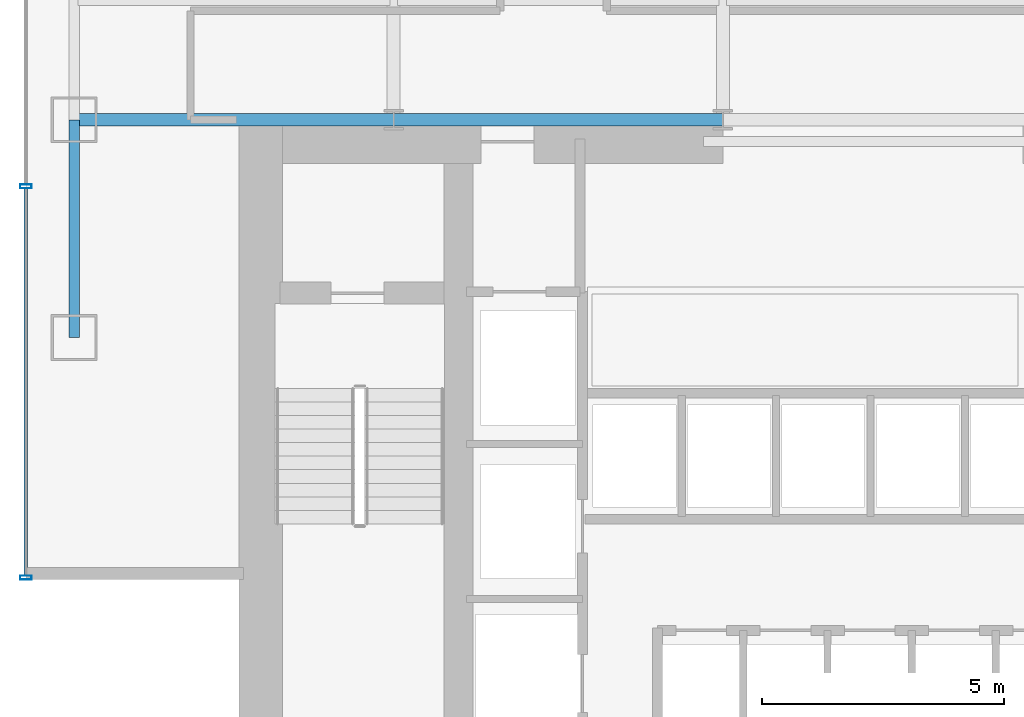
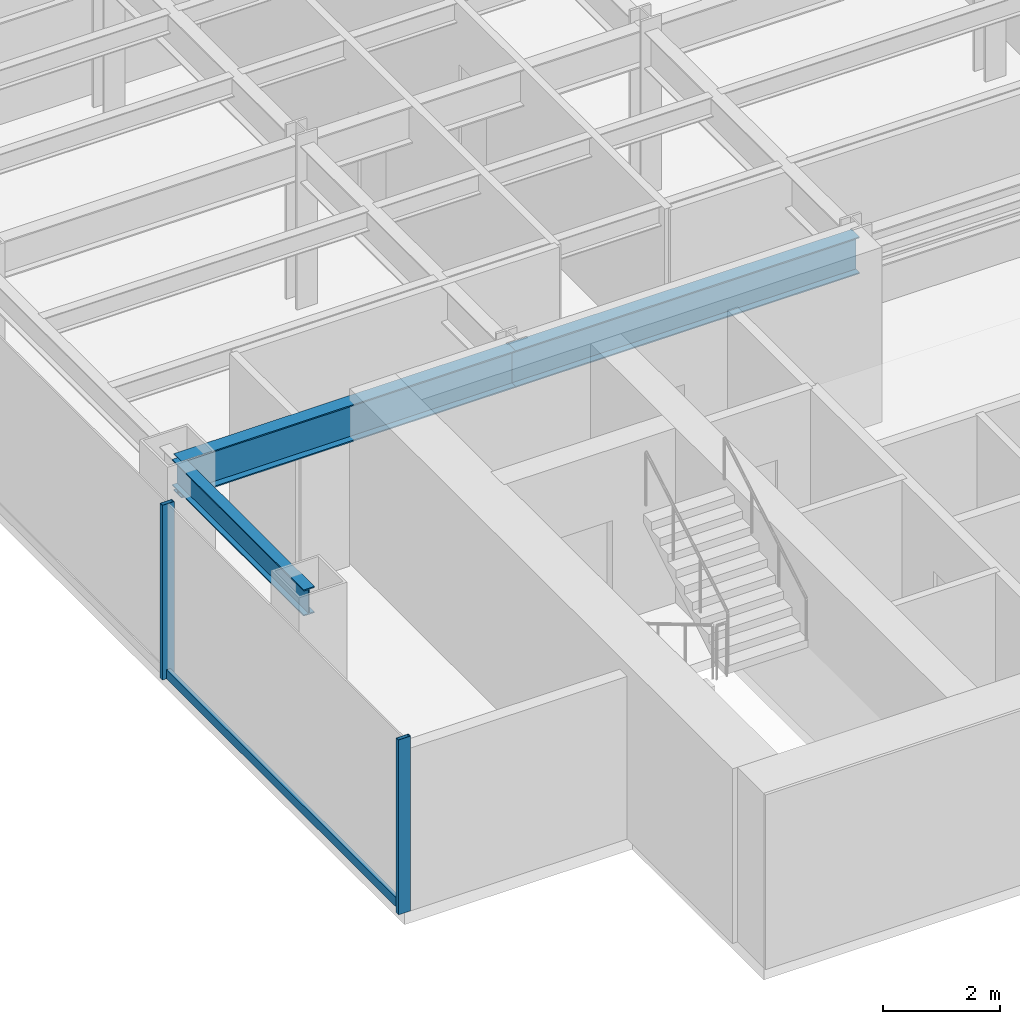
# One storey, part 2 of 22: 3 beams, 3 members, 1 element without a shape of its own.
"""IFC4 building model written with IfcOpenShell, lengths in metres."""

import ifcopenshell
import ifcopenshell.guid

model = None  # the IFC model being written
_history = None  # IfcOwnerHistory: only IFC2X3 demands one
_inside = {}  # id of a spatial element -> (the spatial element, [elements in it])
_under = {}  # id of a project, library or spatial element -> (it, [spatial elements below it])
_declared = {}  # id of a project -> (the project, [libraries it declares])
_typed = {}  # id of a type object -> (the type object, [elements of that type])
_made_of = {}  # id of a material, layer set ... -> (it, [elements and type objects made of it])


def new_model(schema):
    """Start an empty IFC model of exactly this schema.

    Asked for "IFC4X3", IfcOpenShell would pick the latest addendum, in which some entities
    have other attributes; the version numbers below select the first issue.
    IFC2X3 requires an IfcOwnerHistory on every rooted entity: one is made here for all.
    """
    global model, _history
    if schema == "IFC4X3":
        model = ifcopenshell.file(schema_version=(4, 3, 0, 0))
    else:
        model = ifcopenshell.file(schema=schema)
    _inside.clear()
    _under.clear()
    _declared.clear()
    _typed.clear()
    _made_of.clear()
    _history = None
    if model.schema == "IFC2X3":
        org = make("IfcOrganization", Name="unknown")
        user = make(
            "IfcPersonAndOrganization",
            ThePerson=make("IfcPerson", FamilyName="unknown"),
            TheOrganization=org,
        )
        app = make(
            "IfcApplication",
            ApplicationDeveloper=org,
            Version="unknown",
            ApplicationFullName="unknown",
            ApplicationIdentifier="unknown",
        )
        _history = make(
            "IfcOwnerHistory",
            OwningUser=user,
            OwningApplication=app,
            ChangeAction="ADDED",
            CreationDate=0,
        )
    return model


def make(cls, **values):
    """One entity of the class cls with the attributes given. An attribute that is None is left unset."""
    return model.create_entity(
        cls, **{name: value for name, value in values.items() if value is not None}
    )


def rooted(cls, **values):
    """An entity with a GlobalId (a new one), such as an element, a storey or a relation."""
    return make(cls, GlobalId=ifcopenshell.guid.new(), OwnerHistory=_history, **values)


def si_unit(unit_type, name, prefix=None):
    """IfcSIUnit, for example si_unit("LENGTHUNIT", "METRE", prefix="MILLI")."""
    return make("IfcSIUnit", UnitType=unit_type, Prefix=prefix, Name=name)


def derived_unit(unit_type, elements):
    """IfcDerivedUnit: a product of units, each with its exponent."""
    return make(
        "IfcDerivedUnit",
        Elements=[
            make("IfcDerivedUnitElement", Unit=unit, Exponent=power)
            for unit, power in elements
        ],
        UnitType=unit_type,
    )


def assignment(units):
    """IfcUnitAssignment: the units of a project."""
    return None if units is None else make("IfcUnitAssignment", Units=units)


def point(xyz):
    """IfcCartesianPoint."""
    return None if xyz is None else make("IfcCartesianPoint", Coordinates=xyz)


def direction(xyz):
    """IfcDirection."""
    return None if xyz is None else make("IfcDirection", DirectionRatios=xyz)


def frame(location, z_axis=None, x_axis=None):
    """IfcAxis2Placement3D, a coordinate frame: its origin and axes. An axis left out is left unset."""
    return make(
        "IfcAxis2Placement3D",
        Location=point(location),
        Axis=direction(z_axis),
        RefDirection=direction(x_axis),
    )


def frame_2d(location, x_axis=None):
    """IfcAxis2Placement2D, a coordinate frame in the plane: its origin and x axis."""
    return make(
        "IfcAxis2Placement2D", Location=point(location), RefDirection=direction(x_axis)
    )


def origin():
    """The frame at (0, 0, 0) with its axes left unset."""
    return frame((0.0, 0.0, 0.0))


def origin_2d():
    """The frame at (0, 0) in the plane with its x axis left unset."""
    return frame_2d((0.0, 0.0))


def place(relative_to, where):
    """IfcLocalPlacement: puts the frame where relative to a parent placement (None: the world)."""
    return make(
        "IfcLocalPlacement", PlacementRelTo=relative_to, RelativePlacement=where
    )


def context(
    kind, dimensions, precision=None, world=None, true_north=None, identifier=None
):
    """IfcGeometricRepresentationContext, for example the 3D "Model" context."""
    return make(
        "IfcGeometricRepresentationContext",
        ContextIdentifier=identifier,
        ContextType=kind,
        CoordinateSpaceDimension=dimensions,
        Precision=precision,
        WorldCoordinateSystem=world,
        TrueNorth=true_north,
    )


def subcontext(parent, identifier, kind, view, scale=None):
    """IfcGeometricRepresentationSubContext, for example "Body" below "Model"."""
    return make(
        "IfcGeometricRepresentationSubContext",
        ContextIdentifier=identifier,
        ContextType=kind,
        ParentContext=parent,
        TargetScale=scale,
        TargetView=view,
    )


def project(units=None, contexts=None):
    """IfcProject with its units and contexts."""
    return rooted(
        "IfcProject",
        Name="project",
        RepresentationContexts=contexts,
        UnitsInContext=assignment(units),
    )


def spatial(cls, under=None, at=None, **own):
    """A site, building, storey or space (cls), placed at a placement, below another one or the project."""
    s = rooted(cls, ObjectPlacement=at, **own)
    if under is not None:
        _under.setdefault(under.id(), (under, []))[1].append(s)
    return s


def profile(cls, at=None, kind="AREA", **sizes):
    """A parametric profile (cls). Its sizes go by their IFC names, for example OverallWidth=200.0."""
    return make(cls, ProfileType=kind, Position=at, **sizes)


def hollow_rectangle(**sizes):
    """IfcRectangleHollowProfileDef."""
    return profile("IfcRectangleHollowProfileDef", **sizes)


def i_section(**sizes):
    """IfcIShapeProfileDef."""
    return profile("IfcIShapeProfileDef", **sizes)


def extrude(swept, where, along, depth):
    """IfcExtrudedAreaSolid: the profile swept, set in the frame where, extruded along a direction by depth."""
    return make(
        "IfcExtrudedAreaSolid",
        SweptArea=swept,
        Position=where,
        ExtrudedDirection=direction(along),
        Depth=depth,
    )


def shape(context_of_items, identifier, shape_type, items):
    """IfcShapeRepresentation: the items that make up one representation, for example the "Body"."""
    return make(
        "IfcShapeRepresentation",
        ContextOfItems=context_of_items,
        RepresentationIdentifier=identifier,
        RepresentationType=shape_type,
        Items=items,
    )


def source(mapping_origin, context_of_items, identifier, shape_type, items):
    """IfcRepresentationMap: a shape defined once, which mapped items show again and again."""
    return make(
        "IfcRepresentationMap",
        MappingOrigin=mapping_origin,
        MappedRepresentation=shape(context_of_items, identifier, shape_type, items),
    )


def transform(
    local_origin,
    x_axis=None,
    y_axis=None,
    z_axis=None,
    scale=None,
    scale2=None,
    scale3=None,
    uniform=True,
):
    """IfcCartesianTransformationOperator3D, or its non-uniform kind. x_axis, y_axis, z_axis: its Axis1, 2, 3."""
    if uniform:
        return make(
            "IfcCartesianTransformationOperator3D",
            Axis1=direction(x_axis),
            Axis2=direction(y_axis),
            LocalOrigin=point(local_origin),
            Scale=scale,
            Axis3=direction(z_axis),
        )
    return make(
        "IfcCartesianTransformationOperator3DnonUniform",
        Axis1=direction(x_axis),
        Axis2=direction(y_axis),
        LocalOrigin=point(local_origin),
        Scale=scale,
        Axis3=direction(z_axis),
        Scale2=scale2,
        Scale3=scale3,
    )


def mapped(mapping_source, mapping_target):
    """IfcMappedItem: shows the shape of a source again, moved by a transform."""
    return make(
        "IfcMappedItem", MappingSource=mapping_source, MappingTarget=mapping_target
    )


def material(Name=None, Category=None):
    """IfcMaterial."""
    return make("IfcMaterial", Name=Name, Category=Category)


def material_profile(
    of_material, cross_section, Name=None, Category=None, Priority=None
):
    """IfcMaterialProfile: a cross section and its material."""
    return make(
        "IfcMaterialProfile",
        Name=Name,
        Material=of_material,
        Profile=cross_section,
        Priority=Priority,
        Category=Category,
    )


def profile_set(profiles, Name=None, composite=None):
    """IfcMaterialProfileSet."""
    return make(
        "IfcMaterialProfileSet",
        Name=Name,
        MaterialProfiles=profiles,
        CompositeProfile=composite,
    )


def made_of(thing, what):
    """Note that an element or type object is made of a material, layer set ...; save() writes the relation."""
    if what is not None:
        _made_of.setdefault(what.id(), (what, []))[1].append(thing)
    return thing


def type_object(cls, material=None, **own):
    """A type object (cls), such as IfcWallType, which elements share."""
    return made_of(rooted(cls, **own), material)


def element(
    cls,
    number,
    at=None,
    inside=None,
    cuts=None,
    type_object=None,
    material=None,
    context=None,
    identifier="Body",
    shape_type=None,
    held_by="IfcProductDefinitionShape",
    body=None,
    shapes=None,
    **own,
):
    """One element of the class cls, such as IfcWall. Its Tag is "e" and its number.

    at: its placement. inside: the storey or other place that contains it. cuts: it is an
    opening in that element (IfcRelVoidsElement). A single representation is given by context,
    identifier, shape_type and body (its items); several are given by shapes. held_by: the class
    of the entity that holds the representations. save() writes the other relations.
    """
    e = rooted(cls, Tag="e%d" % number, ObjectPlacement=at, **own)
    if body is not None:
        shapes = [shape(context, identifier, shape_type, body)]
    if shapes is not None:
        e.Representation = make(held_by, Representations=shapes)
    if inside is not None:
        _inside.setdefault(inside.id(), (inside, []))[1].append(e)
    if cuts is not None:
        rooted(
            "IfcRelVoidsElement", RelatingBuildingElement=cuts, RelatedOpeningElement=e
        )
    if type_object is not None:
        _typed.setdefault(type_object.id(), (type_object, []))[1].append(e)
    return made_of(e, material)


def aggregate(whole, parts):
    """IfcRelAggregates: a whole, such as a stair, and the parts it consists of."""
    return rooted("IfcRelAggregates", RelatingObject=whole, RelatedObjects=parts)


def save(model, path):
    """Write the relations noted so far, then the file.

    IfcRelAggregates (storeys below a building ...), IfcRelContainedInSpatialStructure (elements
    in a storey), IfcRelDefinesByType, IfcRelAssociatesMaterial and IfcRelDeclares: one each for
    every whole, place, type object, material and project.
    """
    for whole, parts in _under.values():
        aggregate(whole, parts)
    for where, things in _inside.values():
        rooted(
            "IfcRelContainedInSpatialStructure",
            RelatedElements=things,
            RelatingStructure=where,
        )
    for kind, things in _typed.values():
        rooted("IfcRelDefinesByType", RelatedObjects=things, RelatingType=kind)
    for what, things in _made_of.values():
        rooted("IfcRelAssociatesMaterial", RelatedObjects=things, RelatingMaterial=what)
    for by, libraries in _declared.values():
        rooted("IfcRelDeclares", RelatingContext=by, RelatedDefinitions=libraries)
    model.write(path)


model = new_model("IFC4")

# Units and contexts
model_context = context("Model", 3, precision=1e-05, world=origin(), true_north=direction((0.0, 1.0)))
body_context = subcontext(model_context, "Body", "Model", "MODEL_VIEW")
ifc_project = project(units=[si_unit("LENGTHUNIT", "METRE"), si_unit("AREAUNIT", "SQUARE_METRE"), si_unit("VOLUMEUNIT", "CUBIC_METRE"), si_unit("PLANEANGLEUNIT", "RADIAN"), si_unit("MASSUNIT", "GRAM", prefix="KILO"), derived_unit("THERMALTRANSMITTANCEUNIT", [(si_unit("POWERUNIT", "WATT"), 1), (si_unit("LENGTHUNIT", "METRE"), -2), (si_unit("THERMODYNAMICTEMPERATUREUNIT", "KELVIN"), -1)])], contexts=[model_context])

# Site, building, storey
site_placement = place(None, origin())
site = spatial("IfcSite", under=ifc_project, at=site_placement, CompositionType="ELEMENT")
building_placement = place(site_placement, origin())
building = spatial("IfcBuilding", under=site, at=building_placement, Name="Skarnbrae Concourse Arena and Tower", CompositionType="ELEMENT")
storey_placement = place(building_placement, frame((0.0, 0.0, 36.14990234375)))
storey = spatial("IfcBuildingStorey", under=building, at=storey_placement, Name="L07", CompositionType="ELEMENT", Elevation=36.14990234375)

# Beams
ifc_material_1 = material(Name="Steel CSA G40.21 350W", Category="steel")
ifc_material_profile_1 = material_profile(ifc_material_1, i_section(OverallWidth=0.26806640625, OverallDepth=0.77001953125, WebThickness=0.015625, FlangeThickness=0.025390625, at=origin_2d()), Name="W760X196")
ifc_profile_set_1 = profile_set([ifc_material_profile_1], Name="Steel CSA G40.21 350W")
beam_type_1 = type_object("IfcBeamType", Name="BM-GIRD-W760X196", PredefinedType="BEAM", material=ifc_profile_set_1)
shared_shape_1 = source(origin(), body_context, "Body", "SweptSolid", [
    extrude(i_section(OverallWidth=0.26806640625, OverallDepth=0.77001953125, WebThickness=0.015625, FlangeThickness=0.025390625, at=origin_2d()), origin(), (0.0, 0.0, 1.0), 6.60009765625),
])
beam_1_placement = place(storey_placement, frame((1.0, 14.0, 3.01513671875), z_axis=(1.0, 0.0, 0.0), x_axis=(0.0, 1.0, 0.0)))
element("IfcBeam", 1, at=beam_1_placement, inside=storey, type_object=beam_type_1, Name="L07 Primary E-W girder Y14.0-1", PredefinedType="BEAM", context=body_context, shape_type="MappedRepresentation", body=[
    mapped(shared_shape_1, transform((0.0, 0.0, 0.0))),
])
shared_shape_2 = source(origin(), body_context, "Body", "SweptSolid", [
    extrude(i_section(OverallWidth=0.26806640625, OverallDepth=0.77001953125, WebThickness=0.015625, FlangeThickness=0.025390625, at=origin_2d()), origin(), (0.0, 0.0, 1.0), 6.7998046875),
])
beam_2_placement = place(storey_placement, frame((7.60009765625, 14.0, 3.01513671875), z_axis=(1.0, 0.0, 0.0), x_axis=(0.0, 1.0, 0.0)))
element("IfcBeam", 2, at=beam_2_placement, inside=storey, type_object=beam_type_1, Name="L07 Primary E-W girder Y14.0-2", PredefinedType="BEAM", context=body_context, shape_type="MappedRepresentation", body=[
    mapped(shared_shape_2, transform((0.0, 0.0, 0.0))),
])
ifc_material_profile_2 = material_profile(ifc_material_1, i_section(OverallWidth=0.214111328125, OverallDepth=0.549072265625, WebThickness=0.0146484375, FlangeThickness=0.023681640625, at=origin_2d()), Name="W530X138")
ifc_profile_set_2 = profile_set([ifc_material_profile_2], Name="Steel CSA G40.21 350W")
beam_type_2 = type_object("IfcBeamType", Name="BM-SPAN-W530X138", PredefinedType="SPANDREL", material=ifc_profile_set_2)
shared_shape_3 = source(origin(), body_context, "Body", "SweptSolid", [
    extrude(i_section(OverallWidth=0.214111328125, OverallDepth=0.549072265625, WebThickness=0.0146484375, FlangeThickness=0.023681640625, at=origin_2d()), origin(), (0.0, 0.0, 1.0), 4.5),
])
beam_3_placement = place(storey_placement, frame((1.0, 9.5, 3.12548828125), z_axis=(0.0, 1.0, 0.0), x_axis=(-1.0, 0.0, 0.0)))
element("IfcBeam", 3, at=beam_3_placement, inside=storey, type_object=beam_type_2, Name="L07 Perimeter spandrel X1.0-1", PredefinedType="SPANDREL", context=body_context, shape_type="MappedRepresentation", body=[
    mapped(shared_shape_3, transform((0.0, 0.0, 0.0))),
])

# Curtain wall, members
ifc_material_2 = material(Name="Bronze anodised aluminium 6063-T6", Category="aluminium")
curtain_wall_type = type_object("IfcCurtainWallType", Name="CW-SYS-02-LOWZONE", PredefinedType="USERDEFINED", material=ifc_material_2)
curtain_wall_placement = place(storey_placement, origin())
curtain_wall = element("IfcCurtainWall", 4, at=curtain_wall_placement, inside=storey, type_object=curtain_wall_type, Name="L07 Unitised curtain wall CW-L07-E19", ObjectType="UNITISED CURTAIN WALL", PredefinedType="USERDEFINED")
ifc_material_profile_3 = material_profile(ifc_material_2, hollow_rectangle(XDim=0.080078125, YDim=0.18994140625, WallThickness=0.0048828125, at=origin_2d()), Name="ALU-TRAN-80X190")
ifc_profile_set_3 = profile_set([ifc_material_profile_3], Name="Bronze anodised aluminium 6063-T6")
member_type_1 = type_object("IfcMemberType", Name="CWT-CW-02", PredefinedType="USERDEFINED", material=ifc_profile_set_3)
shared_shape_4 = source(origin(), body_context, "Body", "SweptSolid", [
    extrude(hollow_rectangle(XDim=0.080078125, YDim=0.18994140625, WallThickness=0.0048828125, at=origin_2d()), origin(), (0.0, 0.0, 1.0), 8.0048828125),
])
member_1_placement = place(storey_placement, frame((0.0, 12.5849609375, 0.09521484375), z_axis=(0.0, -1.0, 0.0), x_axis=(1.0, 0.0, 0.0)))
member_1 = element("IfcMember", 5, at=member_1_placement, type_object=member_type_1, Name="CW-L07-E19 Transom 4", ObjectType="TRANSOM", PredefinedType="USERDEFINED", context=body_context, shape_type="MappedRepresentation", body=[
    mapped(shared_shape_4, transform((0.0, 0.0, 0.0))),
])
ifc_material_profile_4 = material_profile(ifc_material_2, hollow_rectangle(XDim=0.080078125, YDim=0.239990234375, WallThickness=0.0048828125, at=origin_2d()), Name="ALU-MULL-80X240")
ifc_profile_set_4 = profile_set([ifc_material_profile_4], Name="Bronze anodised aluminium 6063-T6")
member_type_2 = type_object("IfcMemberType", Name="CWM-CW-02", PredefinedType="MULLION", material=ifc_profile_set_4)
shared_shape_5 = source(origin(), body_context, "Body", "SweptSolid", [
    extrude(hollow_rectangle(XDim=0.080078125, YDim=0.239990234375, WallThickness=0.0048828125, at=origin_2d()), origin(), (0.0, 0.0, 1.0), 3.650146484375),
])
member_2_placement = place(storey_placement, frame((0.0, 12.625, 0.0), z_axis=(0.0, 0.0, 1.0), x_axis=(0.0, -1.0, 0.0)))
member_2 = element("IfcMember", 6, at=member_2_placement, type_object=member_type_2, Name="CW-L07-E19 Mullion 4", PredefinedType="MULLION", context=body_context, shape_type="MappedRepresentation", body=[
    mapped(shared_shape_5, transform((0.0, 0.0, 0.0))),
])
member_3_placement = place(storey_placement, frame((0.0, 4.5400390625, 0.0), z_axis=(0.0, 0.0, 1.0), x_axis=(0.0, -1.0, 0.0)))
member_3 = element("IfcMember", 7, at=member_3_placement, type_object=member_type_2, Name="CW-L07-E19 Mullion 5", PredefinedType="MULLION", context=body_context, shape_type="MappedRepresentation", body=[
    mapped(shared_shape_5, transform((0.0, 0.0, 0.0))),
])
aggregate(curtain_wall, [member_2, member_3, member_1])

save(model, "model.ifc")
